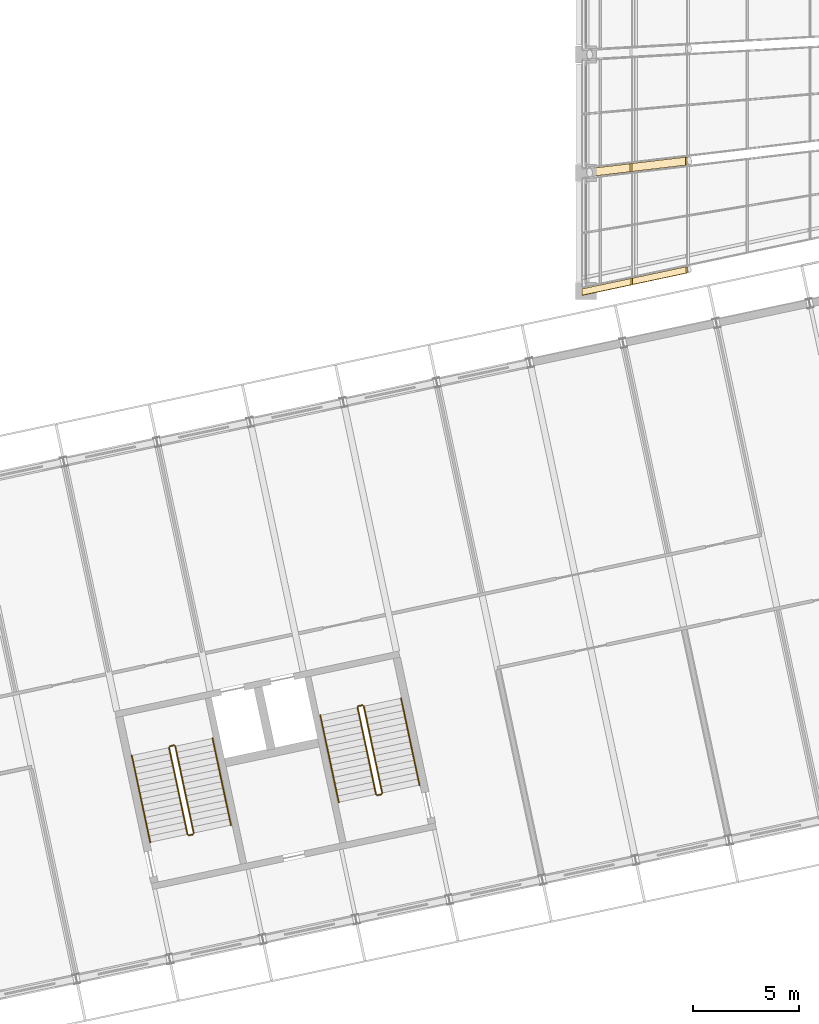
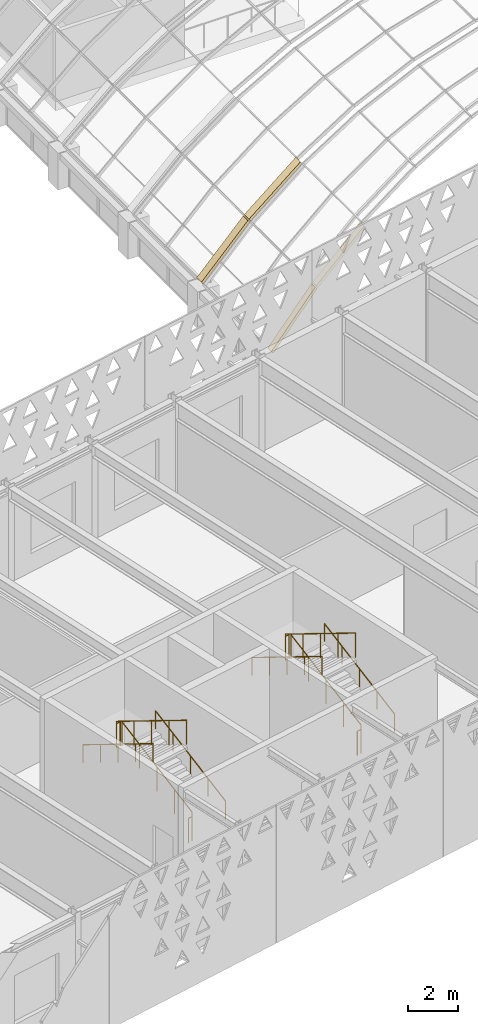
# One storey, part 175 of 182: 12 railings, 4 coverings.
"""IFC4 building model written with IfcOpenShell, lengths in metres."""

from ifc_helpers import new_model, si_unit, direction, frame, origin, origin_2d, place, context, subcontext, project, spatial, polyline, circle, outline, extrude, material, layer, layer_set, type_object, element, save


model = new_model("IFC4")

# Units and contexts
model_context = context("Model", 3, precision=1e-05, world=origin(), true_north=direction((0.0, 1.0)))
body_context = subcontext(model_context, "Body", "Model", "MODEL_VIEW")
ifc_project = project(units=[si_unit("LENGTHUNIT", "METRE"), si_unit("AREAUNIT", "SQUARE_METRE"), si_unit("VOLUMEUNIT", "CUBIC_METRE"), si_unit("PLANEANGLEUNIT", "RADIAN"), si_unit("MASSUNIT", "GRAM", prefix="KILO")], contexts=[model_context])

# Site, building, storey
site_placement = place(None, origin())
site = spatial("IfcSite", under=ifc_project, at=site_placement, CompositionType="ELEMENT")
building_placement = place(site_placement, origin())
building = spatial("IfcBuilding", under=site, at=building_placement, Name="Okhra Congress Centre", CompositionType="ELEMENT")
storey_placement = place(building_placement, frame((0.0, 0.0, 7.199951171875)))
storey = spatial("IfcBuildingStorey", under=building, at=storey_placement, Name="L01", CompositionType="ELEMENT", Elevation=7.199951171875)

# Coverings
ifc_material_1 = material(Name="Extruded aluminium capping, thermally broken", Category="aluminium")
ifc_layer = layer(ifc_material_1, 0.139892578125)
ifc_layer_set = layer_set([ifc_layer], Name="Aluminium rib capping 380")
covering_type = type_object("IfcCoveringType", Name="Aluminium rib capping 380", PredefinedType="CLADDING", material=ifc_layer_set)
covering_1_placement = place(storey_placement, frame((155.3076171875, 74.05615234375, 2.0322265625), z_axis=(-0.663646042111, 0.0, 0.74804674372), x_axis=(0.738759447187, 0.157088032324, 0.655406613709)))
element("IfcCovering", 1, at=covering_1_placement, inside=storey, type_object=covering_type, Name="Rib capping 1.1", PredefinedType="CLADDING", context=body_context, shape_type="SweptSolid", body=[
    extrude(outline(polyline([(0.0, 0.0), (3.1223162475743047, -2.7755575615628914e-17), (3.169450327585612, 0.2963236031109798), (0.04713408001130689, 0.2963236031109799), (0.0, 0.0)])), origin(), (0.0, 0.0, -1.0), 0.139892578125),
])
covering_2_placement = place(storey_placement, frame((157.66162109375, 74.556640625, 4.115478515625), z_axis=(-0.559495970177, 0.0, 0.828833070863), x_axis=(0.816254360778, 0.173558334807, 0.551004830224)))
element("IfcCovering", 2, at=covering_2_placement, inside=storey, type_object=covering_type, Name="Rib capping 1.2", PredefinedType="CLADDING", context=body_context, shape_type="SweptSolid", body=[
    extrude(outline(polyline([(0.0, 0.0), (3.131264377797024, 2.7755575615628914e-17), (3.1832979801267682, 0.2952547287945829), (0.052075974970077786, 0.29549516424148403), (0.0, 0.0)])), origin(), (0.0, 0.0, -1.0), 0.139892578125),
])
covering_3_placement = place(storey_placement, frame((155.2783203125, 79.614990234375, 2.06103515625), z_axis=(-0.663725875965, 0.0, 0.747975909756), x_axis=(0.745052316226, 0.088329321514, 0.661131588299)))
element("IfcCovering", 3, at=covering_3_placement, inside=storey, type_object=covering_type, Name="Rib capping 2.1", PredefinedType="CLADDING", context=body_context, shape_type="SweptSolid", body=[
    extrude(outline(polyline([(0.0, 0.0), (3.1011874262790657, 1.3877787807814457e-17), (3.134742217361901, 0.37839797466199177), (0.03357635585859548, 0.37864116102102907), (0.0, 0.0)])), origin(), (0.0, 0.0, -1.0), 0.139892578125),
])
covering_4_placement = place(storey_placement, frame((157.63623046875, 79.89453125, 4.14794921875), z_axis=(-0.559487786357, 0.0, 0.828838595215), x_axis=(0.824874027817, 0.097691765286, 0.556811599401)))
element("IfcCovering", 4, at=covering_4_placement, inside=storey, type_object=covering_type, Name="Rib capping 2.2", PredefinedType="CLADDING", context=body_context, shape_type="SweptSolid", body=[
    extrude(outline(polyline([(0.0, 0.0), (3.103871194913728, 2.7755575615628914e-17), (3.1410064679971157, 0.3783086993251915), (0.0371114225547534, 0.37806572649325504), (0.0, 0.0)])), origin(), (0.0, 0.0, -1.0), 0.139892578125),
])

# Railings
ifc_material_2 = material(Name="Painted steel tube handrail on wall brackets", Category="steel")
railing_type_1 = type_object("IfcRailingType", Name="Steel handrail 900", PredefinedType="HANDRAIL", material=ifc_material_2)
railing_1_placement = place(storey_placement, frame((138.739501953125, 49.030517578125, 0.16015625)))
element("IfcRailing", 5, at=railing_1_placement, inside=storey, type_object=railing_type_1, Name="L01 BS3A stair handrail 1", PredefinedType="HANDRAIL", context=body_context, shape_type="SweptSolid", body=[
    extrude(circle(Radius=0.02392578125, at=origin_2d()), frame((0.0, 0.0, 0.8759765625), z_axis=(-0.183466421502, 0.863066668889, 0.4705911147), x_axis=(-0.978143927149, -0.207928972925, 0.0)), (0.0, 0.0, 1.0), 4.760009765625),
    extrude(circle(Radius=0.02099609375, at=origin_2d()), origin(), (0.0, 0.0, 1.0), 0.851806640625),
    extrude(circle(Radius=0.02099609375, at=origin_2d()), frame((-0.21826171875, 1.027099609375, 0.56005859375)), (0.0, 0.0, 1.0), 0.851806640625),
    extrude(circle(Radius=0.02099609375, at=origin_2d()), frame((-0.4365234375, 2.05419921875, 1.1201171875)), (0.0, 0.0, 1.0), 0.851806640625),
    extrude(circle(Radius=0.02099609375, at=origin_2d()), frame((-0.655029296875, 3.0810546875, 1.679931640625)), (0.0, 0.0, 1.0), 0.851806640625),
    extrude(circle(Radius=0.02099609375, at=origin_2d()), frame((-0.873291015625, 4.108154296875, 2.239990234375)), (0.0, 0.0, 1.0), 0.851806640625),
])
railing_2_placement = place(storey_placement, frame((134.051513671875, 52.327880859375, 2.56005859375)))
element("IfcRailing", 6, at=railing_2_placement, inside=storey, type_object=railing_type_1, Name="L01 BS3A stair handrail 2", PredefinedType="HANDRAIL", context=body_context, shape_type="SweptSolid", body=[
    extrude(circle(Radius=0.02392578125, at=origin_2d()), frame((0.0, 0.0, 0.8759765625), z_axis=(0.183466421502, -0.863066668889, 0.4705911147), x_axis=(0.978143927149, 0.207928972925, 0.0)), (0.0, 0.0, 1.0), 4.760009765625),
    extrude(circle(Radius=0.02099609375, at=origin_2d()), origin(), (0.0, 0.0, 1.0), 0.851806640625),
    extrude(circle(Radius=0.02099609375, at=origin_2d()), frame((0.21826171875, -1.027099609375, 0.56005859375)), (0.0, 0.0, 1.0), 0.851806640625),
    extrude(circle(Radius=0.02099609375, at=origin_2d()), frame((0.4365234375, -2.05419921875, 1.1201171875)), (0.0, 0.0, 1.0), 0.851806640625),
    extrude(circle(Radius=0.02099609375, at=origin_2d()), frame((0.655029296875, -3.0810546875, 1.679931640625)), (0.0, 0.0, 1.0), 0.851806640625),
    extrude(circle(Radius=0.02099609375, at=origin_2d()), frame((0.873291015625, -4.108154296875, 2.239990234375)), (0.0, 0.0, 1.0), 0.851806640625),
])
railing_3_placement = place(storey_placement, frame((147.640625, 50.92236328125, 0.16015625)))
element("IfcRailing", 7, at=railing_3_placement, inside=storey, type_object=railing_type_1, Name="L01 BS3B stair handrail 1", PredefinedType="HANDRAIL", context=body_context, shape_type="SweptSolid", body=[
    extrude(circle(Radius=0.02392578125, at=origin_2d()), frame((0.0, 0.0, 0.8759765625), z_axis=(-0.183458300256, 0.863079753065, 0.470570283716), x_axis=(-0.978146440129, -0.207917150959, 0.0)), (0.0, 0.0, 1.0), 4.76025390625),
    extrude(circle(Radius=0.02099609375, at=origin_2d()), origin(), (0.0, 0.0, 1.0), 0.851806640625),
    extrude(circle(Radius=0.02099609375, at=origin_2d()), frame((-0.21826171875, 1.027099609375, 0.56005859375)), (0.0, 0.0, 1.0), 0.851806640625),
    extrude(circle(Radius=0.02099609375, at=origin_2d()), frame((-0.4365234375, 2.05419921875, 1.1201171875)), (0.0, 0.0, 1.0), 0.851806640625),
    extrude(circle(Radius=0.02099609375, at=origin_2d()), frame((-0.655029296875, 3.081298828125, 1.679931640625)), (0.0, 0.0, 1.0), 0.851806640625),
    extrude(circle(Radius=0.02099609375, at=origin_2d()), frame((-0.873291015625, 4.1083984375, 2.239990234375)), (0.0, 0.0, 1.0), 0.851806640625),
])
railing_4_placement = place(storey_placement, frame((142.95263671875, 54.219970703125, 2.56005859375)))
element("IfcRailing", 8, at=railing_4_placement, inside=storey, type_object=railing_type_1, Name="L01 BS3B stair handrail 2", PredefinedType="HANDRAIL", context=body_context, shape_type="SweptSolid", body=[
    extrude(circle(Radius=0.02392578125, at=origin_2d()), frame((0.0, 0.0, 0.8759765625), z_axis=(0.183458300256, -0.863079753065, 0.470570283716), x_axis=(0.978146440129, 0.207917150959, 0.0)), (0.0, 0.0, 1.0), 4.76025390625),
    extrude(circle(Radius=0.02099609375, at=origin_2d()), origin(), (0.0, 0.0, 1.0), 0.851806640625),
    extrude(circle(Radius=0.02099609375, at=origin_2d()), frame((0.21826171875, -1.027099609375, 0.56005859375)), (0.0, 0.0, 1.0), 0.851806640625),
    extrude(circle(Radius=0.02099609375, at=origin_2d()), frame((0.4365234375, -2.05419921875, 1.1201171875)), (0.0, 0.0, 1.0), 0.851806640625),
    extrude(circle(Radius=0.02099609375, at=origin_2d()), frame((0.655029296875, -3.081298828125, 1.679931640625)), (0.0, 0.0, 1.0), 0.851806640625),
    extrude(circle(Radius=0.02099609375, at=origin_2d()), frame((0.873291015625, -4.1083984375, 2.239990234375)), (0.0, 0.0, 1.0), 0.851806640625),
])
ifc_material_3 = material(Name="Painted steel tube guard with vertical steel balusters", Category="steel")
railing_type_2 = type_object("IfcRailingType", Name="Steel stair guard 1200", PredefinedType="GUARDRAIL", material=ifc_material_3)
railing_5_placement = place(storey_placement, frame((136.978759765625, 48.65625, 0.16015625)))
element("IfcRailing", 9, at=railing_5_placement, inside=storey, type_object=railing_type_2, Name="L01 BS3A stair guard 1", PredefinedType="GUARDRAIL", context=body_context, shape_type="SweptSolid", body=[
    extrude(circle(Radius=0.02392578125, at=origin_2d()), frame((0.0, 0.0, 1.17578125), z_axis=(-0.183416856655, 0.863074789412, 0.470595542453), x_axis=(-0.978155748334, -0.207873355681, 0.0)), (0.0, 0.0, 1.0), 4.760009765625),
    extrude(circle(Radius=0.02099609375, at=origin_2d()), origin(), (0.0, 0.0, 1.0), 1.15185546875),
    extrude(circle(Radius=0.02099609375, at=origin_2d()), frame((-0.21826171875, 1.027099609375, 0.56005859375)), (0.0, 0.0, 1.0), 1.15185546875),
    extrude(circle(Radius=0.02099609375, at=origin_2d()), frame((-0.4365234375, 2.05419921875, 1.1201171875)), (0.0, 0.0, 1.0), 1.15185546875),
    extrude(circle(Radius=0.02099609375, at=origin_2d()), frame((-0.65478515625, 3.0810546875, 1.679931640625)), (0.0, 0.0, 1.0), 1.15185546875),
    extrude(circle(Radius=0.02099609375, at=origin_2d()), frame((-0.873046875, 4.108154296875, 2.239990234375)), (0.0, 0.0, 1.0), 1.15185546875),
])
railing_6_placement = place(storey_placement, frame((136.04638671875, 52.802978515625, 2.400146484375)))
element("IfcRailing", 10, at=railing_6_placement, inside=storey, type_object=railing_type_2, Name="L01 BS3A stair guard 2", PredefinedType="GUARDRAIL", context=body_context, shape_type="SweptSolid", body=[
    extrude(circle(Radius=0.02392578125, at=origin_2d()), frame((0.0, 0.0, 1.17578125), z_axis=(-0.97826412705, -0.207362720198, 0.0), x_axis=(0.207362720198, -0.97826412705, 0.0)), (0.0, 0.0, 1.0), 0.2001953125),
    extrude(circle(Radius=0.02099609375, at=origin_2d()), origin(), (0.0, 0.0, 1.0), 1.15185546875),
    extrude(circle(Radius=0.02099609375, at=origin_2d()), frame((-0.19580078125, -0.04150390625, 0.0)), (0.0, 0.0, 1.0), 1.15185546875),
])
railing_7_placement = place(storey_placement, frame((135.812255859375, 52.7021484375, 2.56005859375)))
element("IfcRailing", 11, at=railing_7_placement, inside=storey, type_object=railing_type_2, Name="L01 BS3A stair guard 3", PredefinedType="GUARDRAIL", context=body_context, shape_type="SweptSolid", body=[
    extrude(circle(Radius=0.02392578125, at=origin_2d()), frame((0.0, 0.0, 1.17578125), z_axis=(0.183416856655, -0.863074789412, 0.470595542453), x_axis=(0.978155748334, 0.207873355681, 0.0)), (0.0, 0.0, 1.0), 4.760009765625),
    extrude(circle(Radius=0.02099609375, at=origin_2d()), origin(), (0.0, 0.0, 1.0), 1.15185546875),
    extrude(circle(Radius=0.02099609375, at=origin_2d()), frame((0.21826171875, -1.027099609375, 0.56005859375)), (0.0, 0.0, 1.0), 1.15185546875),
    extrude(circle(Radius=0.02099609375, at=origin_2d()), frame((0.4365234375, -2.05419921875, 1.1201171875)), (0.0, 0.0, 1.0), 1.15185546875),
    extrude(circle(Radius=0.02099609375, at=origin_2d()), frame((0.65478515625, -3.0810546875, 1.679931640625)), (0.0, 0.0, 1.0), 1.15185546875),
    extrude(circle(Radius=0.02099609375, at=origin_2d()), frame((0.873046875, -4.108154296875, 2.239990234375)), (0.0, 0.0, 1.0), 1.15185546875),
])
railing_8_placement = place(storey_placement, frame((136.9404296875, 48.596923828125, 0.0)))
element("IfcRailing", 12, at=railing_8_placement, inside=storey, type_object=railing_type_2, Name="L01 BS3A stair guard 4", PredefinedType="GUARDRAIL", context=body_context, shape_type="SweptSolid", body=[
    extrude(circle(Radius=0.02392578125, at=origin_2d()), frame((0.0, 0.0, 1.17578125), z_axis=(-0.97826412705, -0.207362720198, 0.0), x_axis=(0.207362720198, -0.97826412705, 0.0)), (0.0, 0.0, 1.0), 0.2001953125),
    extrude(circle(Radius=0.02099609375, at=origin_2d()), origin(), (0.0, 0.0, 1.0), 1.15185546875),
    extrude(circle(Radius=0.02099609375, at=origin_2d()), frame((-0.19580078125, -0.04150390625, 0.0)), (0.0, 0.0, 1.0), 1.15185546875),
])
railing_9_placement = place(storey_placement, frame((145.8798828125, 50.54833984375, 0.16015625)))
element("IfcRailing", 13, at=railing_9_placement, inside=storey, type_object=railing_type_2, Name="L01 BS3B stair guard 1", PredefinedType="GUARDRAIL", context=body_context, shape_type="SweptSolid", body=[
    extrude(circle(Radius=0.02392578125, at=origin_2d()), frame((0.0, 0.0, 1.17578125), z_axis=(-0.183416856655, 0.863074789412, 0.470595542453), x_axis=(-0.978155748334, -0.207873355681, 0.0)), (0.0, 0.0, 1.0), 4.760009765625),
    extrude(circle(Radius=0.02099609375, at=origin_2d()), origin(), (0.0, 0.0, 1.0), 1.15185546875),
    extrude(circle(Radius=0.02099609375, at=origin_2d()), frame((-0.21826171875, 1.027099609375, 0.56005859375)), (0.0, 0.0, 1.0), 1.15185546875),
    extrude(circle(Radius=0.02099609375, at=origin_2d()), frame((-0.4365234375, 2.05419921875, 1.1201171875)), (0.0, 0.0, 1.0), 1.15185546875),
    extrude(circle(Radius=0.02099609375, at=origin_2d()), frame((-0.65478515625, 3.0810546875, 1.679931640625)), (0.0, 0.0, 1.0), 1.15185546875),
    extrude(circle(Radius=0.02099609375, at=origin_2d()), frame((-0.873046875, 4.108154296875, 2.239990234375)), (0.0, 0.0, 1.0), 1.15185546875),
])
railing_10_placement = place(storey_placement, frame((144.947509765625, 54.695068359375, 2.400146484375)))
element("IfcRailing", 14, at=railing_10_placement, inside=storey, type_object=railing_type_2, Name="L01 BS3B stair guard 2", PredefinedType="GUARDRAIL", context=body_context, shape_type="SweptSolid", body=[
    extrude(circle(Radius=0.02392578125, at=origin_2d()), frame((0.0, 0.0, 1.17578125), z_axis=(-0.978016054442, -0.208529607618, 0.0), x_axis=(0.208529607618, -0.978016054442, 0.0)), (0.0, 0.0, 1.0), 0.2001953125),
    extrude(circle(Radius=0.02099609375, at=origin_2d()), origin(), (0.0, 0.0, 1.0), 1.15185546875),
    extrude(circle(Radius=0.02099609375, at=origin_2d()), frame((-0.19580078125, -0.041748046875, 0.0)), (0.0, 0.0, 1.0), 1.15185546875),
])
railing_11_placement = place(storey_placement, frame((144.71337890625, 54.593994140625, 2.56005859375)))
element("IfcRailing", 15, at=railing_11_placement, inside=storey, type_object=railing_type_2, Name="L01 BS3B stair guard 3", PredefinedType="GUARDRAIL", context=body_context, shape_type="SweptSolid", body=[
    extrude(circle(Radius=0.02392578125, at=origin_2d()), frame((0.0, 0.0, 1.17578125), z_axis=(0.183416856655, -0.863074789412, 0.470595542453), x_axis=(0.978155748334, 0.207873355681, 0.0)), (0.0, 0.0, 1.0), 4.760009765625),
    extrude(circle(Radius=0.02099609375, at=origin_2d()), origin(), (0.0, 0.0, 1.0), 1.15185546875),
    extrude(circle(Radius=0.02099609375, at=origin_2d()), frame((0.21826171875, -1.027099609375, 0.56005859375)), (0.0, 0.0, 1.0), 1.15185546875),
    extrude(circle(Radius=0.02099609375, at=origin_2d()), frame((0.4365234375, -2.05419921875, 1.1201171875)), (0.0, 0.0, 1.0), 1.15185546875),
    extrude(circle(Radius=0.02099609375, at=origin_2d()), frame((0.65478515625, -3.0810546875, 1.679931640625)), (0.0, 0.0, 1.0), 1.15185546875),
    extrude(circle(Radius=0.02099609375, at=origin_2d()), frame((0.873046875, -4.108154296875, 2.239990234375)), (0.0, 0.0, 1.0), 1.15185546875),
])
railing_12_placement = place(storey_placement, frame((145.841552734375, 50.489013671875, 0.0)))
element("IfcRailing", 16, at=railing_12_placement, inside=storey, type_object=railing_type_2, Name="L01 BS3B stair guard 4", PredefinedType="GUARDRAIL", context=body_context, shape_type="SweptSolid", body=[
    extrude(circle(Radius=0.02392578125, at=origin_2d()), frame((0.0, 0.0, 1.17578125), z_axis=(-0.978016054442, -0.208529607618, 0.0), x_axis=(0.208529607618, -0.978016054442, 0.0)), (0.0, 0.0, 1.0), 0.2001953125),
    extrude(circle(Radius=0.02099609375, at=origin_2d()), origin(), (0.0, 0.0, 1.0), 1.15185546875),
    extrude(circle(Radius=0.02099609375, at=origin_2d()), frame((-0.19580078125, -0.041748046875, 0.0)), (0.0, 0.0, 1.0), 1.15185546875),
])

save(model, "model.ifc")
